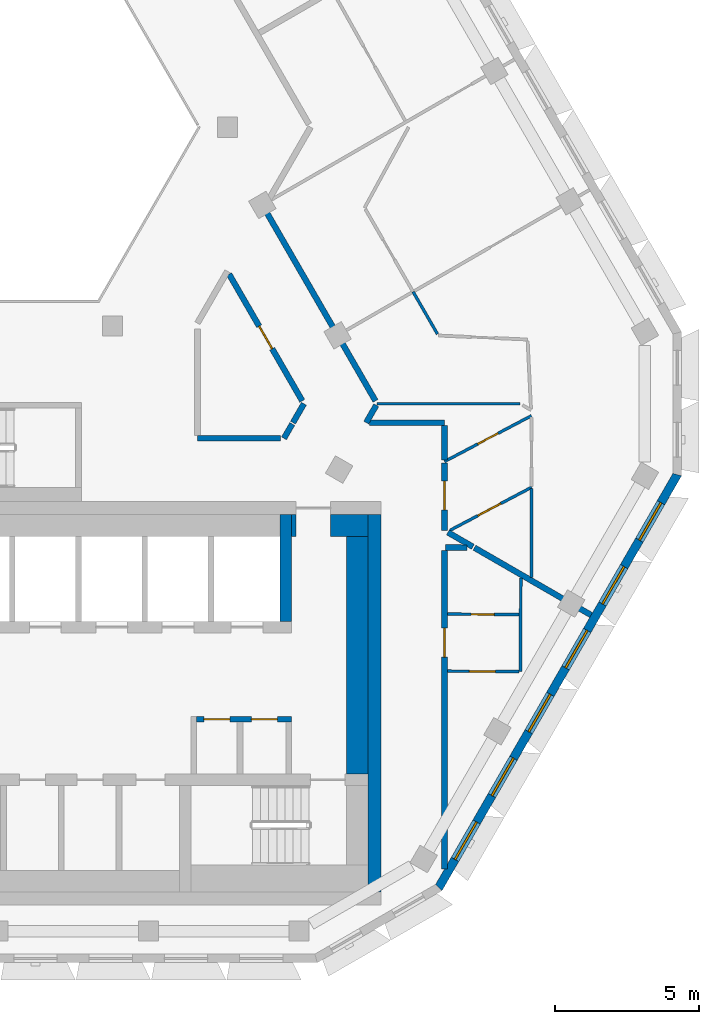
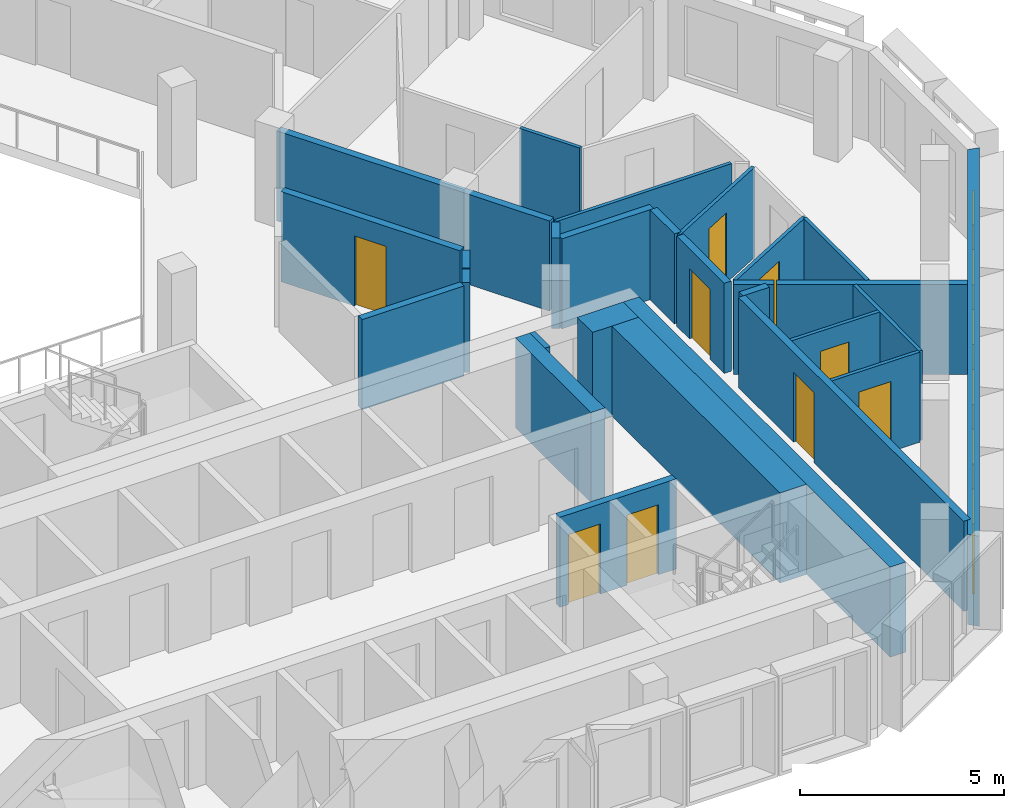
# One storey, part 6 of 16: 28 walls, 9 doors, 6 windows, 15 openings.
"""IFC4 building model written with IfcOpenShell, lengths in metres."""

import ifcopenshell
import ifcopenshell.guid

model = None  # the IFC model being written
_history = None  # IfcOwnerHistory: only IFC2X3 demands one
_inside = {}  # id of a spatial element -> (the spatial element, [elements in it])
_under = {}  # id of a project, library or spatial element -> (it, [spatial elements below it])
_declared = {}  # id of a project -> (the project, [libraries it declares])
_typed = {}  # id of a type object -> (the type object, [elements of that type])
_made_of = {}  # id of a material, layer set ... -> (it, [elements and type objects made of it])


def new_model(schema):
    """Start an empty IFC model of exactly this schema.

    Asked for "IFC4X3", IfcOpenShell would pick the latest addendum, in which some entities
    have other attributes; the version numbers below select the first issue.
    IFC2X3 requires an IfcOwnerHistory on every rooted entity: one is made here for all.
    """
    global model, _history
    if schema == "IFC4X3":
        model = ifcopenshell.file(schema_version=(4, 3, 0, 0))
    else:
        model = ifcopenshell.file(schema=schema)
    _inside.clear()
    _under.clear()
    _declared.clear()
    _typed.clear()
    _made_of.clear()
    _history = None
    if model.schema == "IFC2X3":
        org = make("IfcOrganization", Name="unknown")
        user = make(
            "IfcPersonAndOrganization",
            ThePerson=make("IfcPerson", FamilyName="unknown"),
            TheOrganization=org,
        )
        app = make(
            "IfcApplication",
            ApplicationDeveloper=org,
            Version="unknown",
            ApplicationFullName="unknown",
            ApplicationIdentifier="unknown",
        )
        _history = make(
            "IfcOwnerHistory",
            OwningUser=user,
            OwningApplication=app,
            ChangeAction="ADDED",
            CreationDate=0,
        )
    return model


def make(cls, **values):
    """One entity of the class cls with the attributes given. An attribute that is None is left unset."""
    return model.create_entity(
        cls, **{name: value for name, value in values.items() if value is not None}
    )


def rooted(cls, **values):
    """An entity with a GlobalId (a new one), such as an element, a storey or a relation."""
    return make(cls, GlobalId=ifcopenshell.guid.new(), OwnerHistory=_history, **values)


def si_unit(unit_type, name, prefix=None):
    """IfcSIUnit, for example si_unit("LENGTHUNIT", "METRE", prefix="MILLI")."""
    return make("IfcSIUnit", UnitType=unit_type, Prefix=prefix, Name=name)


def assignment(units):
    """IfcUnitAssignment: the units of a project."""
    return None if units is None else make("IfcUnitAssignment", Units=units)


def point(xyz):
    """IfcCartesianPoint."""
    return None if xyz is None else make("IfcCartesianPoint", Coordinates=xyz)


def direction(xyz):
    """IfcDirection."""
    return None if xyz is None else make("IfcDirection", DirectionRatios=xyz)


def frame(location, z_axis=None, x_axis=None):
    """IfcAxis2Placement3D, a coordinate frame: its origin and axes. An axis left out is left unset."""
    return make(
        "IfcAxis2Placement3D",
        Location=point(location),
        Axis=direction(z_axis),
        RefDirection=direction(x_axis),
    )


def frame_2d(location, x_axis=None):
    """IfcAxis2Placement2D, a coordinate frame in the plane: its origin and x axis."""
    return make(
        "IfcAxis2Placement2D", Location=point(location), RefDirection=direction(x_axis)
    )


def origin():
    """The frame at (0, 0, 0) with its axes left unset."""
    return frame((0.0, 0.0, 0.0))


def place(relative_to, where):
    """IfcLocalPlacement: puts the frame where relative to a parent placement (None: the world)."""
    return make(
        "IfcLocalPlacement", PlacementRelTo=relative_to, RelativePlacement=where
    )


def context(
    kind, dimensions, precision=None, world=None, true_north=None, identifier=None
):
    """IfcGeometricRepresentationContext, for example the 3D "Model" context."""
    return make(
        "IfcGeometricRepresentationContext",
        ContextIdentifier=identifier,
        ContextType=kind,
        CoordinateSpaceDimension=dimensions,
        Precision=precision,
        WorldCoordinateSystem=world,
        TrueNorth=true_north,
    )


def subcontext(parent, identifier, kind, view, scale=None):
    """IfcGeometricRepresentationSubContext, for example "Body" below "Model"."""
    return make(
        "IfcGeometricRepresentationSubContext",
        ContextIdentifier=identifier,
        ContextType=kind,
        ParentContext=parent,
        TargetScale=scale,
        TargetView=view,
    )


def project(units=None, contexts=None):
    """IfcProject with its units and contexts."""
    return rooted(
        "IfcProject",
        Name="project",
        RepresentationContexts=contexts,
        UnitsInContext=assignment(units),
    )


def spatial(cls, under=None, at=None, **own):
    """A site, building, storey or space (cls), placed at a placement, below another one or the project."""
    s = rooted(cls, ObjectPlacement=at, **own)
    if under is not None:
        _under.setdefault(under.id(), (under, []))[1].append(s)
    return s


def polyline(points):
    """IfcPolyline through the points."""
    return make("IfcPolyline", Points=[point(p) for p in points])


def profile(cls, at=None, kind="AREA", **sizes):
    """A parametric profile (cls). Its sizes go by their IFC names, for example OverallWidth=200.0."""
    return make(cls, ProfileType=kind, Position=at, **sizes)


def rectangle(**sizes):
    """IfcRectangleProfileDef."""
    return profile("IfcRectangleProfileDef", **sizes)


def outline(outer, holes=None, kind="AREA"):
    """IfcArbitraryClosedProfileDef: a profile drawn as a closed curve; with holes, ...WithVoids."""
    if holes is None:
        return make("IfcArbitraryClosedProfileDef", ProfileType=kind, OuterCurve=outer)
    return make(
        "IfcArbitraryProfileDefWithVoids",
        ProfileType=kind,
        OuterCurve=outer,
        InnerCurves=holes,
    )


def extrude(swept, where, along, depth):
    """IfcExtrudedAreaSolid: the profile swept, set in the frame where, extruded along a direction by depth."""
    return make(
        "IfcExtrudedAreaSolid",
        SweptArea=swept,
        Position=where,
        ExtrudedDirection=direction(along),
        Depth=depth,
    )


def shape(context_of_items, identifier, shape_type, items):
    """IfcShapeRepresentation: the items that make up one representation, for example the "Body"."""
    return make(
        "IfcShapeRepresentation",
        ContextOfItems=context_of_items,
        RepresentationIdentifier=identifier,
        RepresentationType=shape_type,
        Items=items,
    )


def material(Name=None, Category=None):
    """IfcMaterial."""
    return make("IfcMaterial", Name=Name, Category=Category)


def layer(
    of_material, thickness, ventilated=None, Name=None, Category=None, Priority=None
):
    """IfcMaterialLayer: one layer of a wall or slab, of a material (None: an air gap)."""
    return make(
        "IfcMaterialLayer",
        Material=of_material,
        LayerThickness=thickness,
        IsVentilated=ventilated,
        Name=Name,
        Category=Category,
        Priority=Priority,
    )


def layer_set(layers, Name=None):
    """IfcMaterialLayerSet."""
    return make("IfcMaterialLayerSet", MaterialLayers=layers, LayerSetName=Name)


def made_of(thing, what):
    """Note that an element or type object is made of a material, layer set ...; save() writes the relation."""
    if what is not None:
        _made_of.setdefault(what.id(), (what, []))[1].append(thing)
    return thing


def type_object(cls, material=None, **own):
    """A type object (cls), such as IfcWallType, which elements share."""
    return made_of(rooted(cls, **own), material)


def element(
    cls,
    number,
    at=None,
    inside=None,
    cuts=None,
    type_object=None,
    material=None,
    context=None,
    identifier="Body",
    shape_type=None,
    held_by="IfcProductDefinitionShape",
    body=None,
    shapes=None,
    **own,
):
    """One element of the class cls, such as IfcWall. Its Tag is "e" and its number.

    at: its placement. inside: the storey or other place that contains it. cuts: it is an
    opening in that element (IfcRelVoidsElement). A single representation is given by context,
    identifier, shape_type and body (its items); several are given by shapes. held_by: the class
    of the entity that holds the representations. save() writes the other relations.
    """
    e = rooted(cls, Tag="e%d" % number, ObjectPlacement=at, **own)
    if body is not None:
        shapes = [shape(context, identifier, shape_type, body)]
    if shapes is not None:
        e.Representation = make(held_by, Representations=shapes)
    if inside is not None:
        _inside.setdefault(inside.id(), (inside, []))[1].append(e)
    if cuts is not None:
        rooted(
            "IfcRelVoidsElement", RelatingBuildingElement=cuts, RelatedOpeningElement=e
        )
    if type_object is not None:
        _typed.setdefault(type_object.id(), (type_object, []))[1].append(e)
    return made_of(e, material)


def fill(opening, filler):
    """IfcRelFillsElement: the door or window that sits in an opening."""
    return rooted(
        "IfcRelFillsElement",
        RelatingOpeningElement=opening,
        RelatedBuildingElement=filler,
    )


def aggregate(whole, parts):
    """IfcRelAggregates: a whole, such as a stair, and the parts it consists of."""
    return rooted("IfcRelAggregates", RelatingObject=whole, RelatedObjects=parts)


def save(model, path):
    """Write the relations noted so far, then the file.

    IfcRelAggregates (storeys below a building ...), IfcRelContainedInSpatialStructure (elements
    in a storey), IfcRelDefinesByType, IfcRelAssociatesMaterial and IfcRelDeclares: one each for
    every whole, place, type object, material and project.
    """
    for whole, parts in _under.values():
        aggregate(whole, parts)
    for where, things in _inside.values():
        rooted(
            "IfcRelContainedInSpatialStructure",
            RelatedElements=things,
            RelatingStructure=where,
        )
    for kind, things in _typed.values():
        rooted("IfcRelDefinesByType", RelatedObjects=things, RelatingType=kind)
    for what, things in _made_of.values():
        rooted("IfcRelAssociatesMaterial", RelatedObjects=things, RelatingMaterial=what)
    for by, libraries in _declared.values():
        rooted("IfcRelDeclares", RelatingContext=by, RelatedDefinitions=libraries)
    model.write(path)


model = new_model("IFC4")

# Units and contexts
model_context = context("Model", 3, precision=1e-05, world=origin(), true_north=direction((0.0, 1.0)))
body_context = subcontext(model_context, "Body", "Model", "MODEL_VIEW")
ifc_project = project(units=[si_unit("LENGTHUNIT", "METRE"), si_unit("AREAUNIT", "SQUARE_METRE"), si_unit("VOLUMEUNIT", "CUBIC_METRE"), si_unit("PLANEANGLEUNIT", "RADIAN"), si_unit("MASSUNIT", "GRAM", prefix="KILO")], contexts=[model_context])

# Site, building, storey
site_placement = place(None, origin())
site = spatial("IfcSite", under=ifc_project, at=site_placement, CompositionType="ELEMENT")
building_placement = place(site_placement, origin())
building = spatial("IfcBuilding", under=site, at=building_placement, Name="Beryl Residences", CompositionType="ELEMENT")
storey_placement = place(building_placement, frame((0.0, 0.0, 232.800048828125)))
storey = spatial("IfcBuildingStorey", under=building, at=storey_placement, Name="L72", CompositionType="ELEMENT", Elevation=232.800048828125)

# Wall, openings, windows
ifc_material_1 = material(Name="Composite metal panel with mineral wool insulation")
ifc_layer_1 = layer(ifc_material_1, 0.300048828125)
ifc_layer_set_1 = layer_set([ifc_layer_1], Name="ES1 pale metal composite panel wall 300 mm")
wall_type_1 = type_object("IfcWallType", Name="ES1 pale metal composite panel wall 300 mm", PredefinedType="SOLIDWALL", material=ifc_layer_set_1)
wall_1_placement = place(storey_placement, frame((15.284912109375, -18.425048828125, 0.0), z_axis=(0.0, 0.0, 1.0), x_axis=(0.500012653391, 0.866018098222, 0.0)))
wall_1 = element("IfcWall", 1, at=wall_1_placement, inside=storey, type_object=wall_type_1, Name="ES1 external wall L72 SE", PredefinedType="SOLIDWALL", context=body_context, shape_type="SweptSolid", body=[
    extrude(outline(polyline([(0.0, -0.14990234375), (16.6279296875, -0.14990234375), (16.547607421875, 0.14990234375), (0.080322265625, 0.14990234375), (0.0, -0.14990234375)])), origin(), (0.0, 0.0, 1.0), 2.699951171875),
])
opening_1_placement = place(wall_1_placement, frame((1.1650390625, 0.0, 0.14990234375)))
opening_1 = element("IfcOpeningElement", 2, at=opening_1_placement, cuts=wall_1, Name="Opening W1", PredefinedType="OPENING", context=body_context, shape_type="SweptSolid", body=[
    extrude(rectangle(XDim=1.5, YDim=2.10009765625, at=frame_2d((0.75, 1.050048828125))), frame((0.0, 0.159912109375, 0.0), z_axis=(0.0, -1.0, 0.0), x_axis=(1.0, 0.0, 0.0)), (0.0, 0.0, 1.0), 0.320068359375),
])
opening_2_placement = place(wall_1_placement, frame((3.72412109375, 0.0, 0.14990234375)))
opening_2 = element("IfcOpeningElement", 3, at=opening_2_placement, cuts=wall_1, Name="Opening W1", PredefinedType="OPENING", context=body_context, shape_type="SweptSolid", body=[
    extrude(rectangle(XDim=1.5, YDim=2.10009765625, at=frame_2d((0.75, 1.050048828125))), frame((0.0, 0.159912109375, 0.0), z_axis=(0.0, -1.0, 0.0), x_axis=(1.0, 0.0, 0.0)), (0.0, 0.0, 1.0), 0.320068359375),
])
opening_3_placement = place(wall_1_placement, frame((6.282958984375, 0.0, 0.14990234375)))
opening_3 = element("IfcOpeningElement", 4, at=opening_3_placement, cuts=wall_1, Name="Opening W1", PredefinedType="OPENING", context=body_context, shape_type="SweptSolid", body=[
    extrude(rectangle(XDim=1.5, YDim=2.10009765625, at=frame_2d((0.75, 1.050048828125))), frame((0.0, 0.159912109375, 0.0), z_axis=(0.0, -1.0, 0.0), x_axis=(1.0, 0.0, 0.0)), (0.0, 0.0, 1.0), 0.320068359375),
])
opening_4_placement = place(wall_1_placement, frame((8.843017578125, 0.0, 0.14990234375)))
opening_4 = element("IfcOpeningElement", 5, at=opening_4_placement, cuts=wall_1, Name="Opening W1", PredefinedType="OPENING", context=body_context, shape_type="SweptSolid", body=[
    extrude(rectangle(XDim=1.5, YDim=2.10009765625, at=frame_2d((0.75, 1.050048828125))), frame((0.0, 0.159912109375, 0.0), z_axis=(0.0, -1.0, 0.0), x_axis=(1.0, 0.0, 0.0)), (0.0, 0.0, 1.0), 0.320068359375),
])
opening_5_placement = place(wall_1_placement, frame((11.402099609375, 0.0, 0.14990234375)))
opening_5 = element("IfcOpeningElement", 6, at=opening_5_placement, cuts=wall_1, Name="Opening W1", PredefinedType="OPENING", context=body_context, shape_type="SweptSolid", body=[
    extrude(rectangle(XDim=1.5, YDim=2.10009765625, at=frame_2d((0.75, 1.050048828125))), frame((0.0, 0.159912109375, 0.0), z_axis=(0.0, -1.0, 0.0), x_axis=(1.0, 0.0, 0.0)), (0.0, 0.0, 1.0), 0.320068359375),
])
opening_6_placement = place(wall_1_placement, frame((13.9619140625, 0.0, 0.14990234375)))
opening_6 = element("IfcOpeningElement", 7, at=opening_6_placement, cuts=wall_1, Name="Opening W1", PredefinedType="OPENING", context=body_context, shape_type="SweptSolid", body=[
    extrude(rectangle(XDim=1.5, YDim=2.10009765625, at=frame_2d((0.75, 1.050048828125))), frame((0.0, 0.159912109375, 0.0), z_axis=(0.0, -1.0, 0.0), x_axis=(1.0, 0.0, 0.0)), (0.0, 0.0, 1.0), 0.320068359375),
])
ifc_material_2 = material(Name="Aluminium and clear glass", Category="aluminium")
window_type = type_object("IfcWindowType", Name="W1 cell window 1500 x 2100 mm", PartitioningType="SINGLE_PANEL", PredefinedType="WINDOW", material=ifc_material_2)
window_1_placement = place(opening_1_placement, origin())
window_1 = element("IfcWindow", 8, at=window_1_placement, inside=storey, type_object=window_type, Name="W1 window L72 SE 1", OverallHeight=2.10009765625, OverallWidth=1.5, PartitioningType="SINGLE_PANEL", PredefinedType="WINDOW", context=body_context, shape_type="SweptSolid", body=[
    extrude(rectangle(XDim=1.5, YDim=2.10009765625, at=frame_2d((0.75, 1.050048828125))), frame((0.0, 0.030029296875, 0.0), z_axis=(0.0, -1.0, 0.0), x_axis=(1.0, 0.0, 0.0)), (0.0, 0.0, 1.0), 0.06005859375),
])
fill(opening_1, window_1)
window_2_placement = place(opening_2_placement, origin())
window_2 = element("IfcWindow", 9, at=window_2_placement, inside=storey, type_object=window_type, Name="W1 window L72 SE 2", OverallHeight=2.10009765625, OverallWidth=1.5, PartitioningType="SINGLE_PANEL", PredefinedType="WINDOW", context=body_context, shape_type="SweptSolid", body=[
    extrude(rectangle(XDim=1.5, YDim=2.10009765625, at=frame_2d((0.75, 1.050048828125))), frame((0.0, 0.030029296875, 0.0), z_axis=(0.0, -1.0, 0.0), x_axis=(1.0, 0.0, 0.0)), (0.0, 0.0, 1.0), 0.06005859375),
])
fill(opening_2, window_2)
window_3_placement = place(opening_3_placement, origin())
window_3 = element("IfcWindow", 10, at=window_3_placement, inside=storey, type_object=window_type, Name="W1 window L72 SE 3", OverallHeight=2.10009765625, OverallWidth=1.5, PartitioningType="SINGLE_PANEL", PredefinedType="WINDOW", context=body_context, shape_type="SweptSolid", body=[
    extrude(rectangle(XDim=1.5, YDim=2.10009765625, at=frame_2d((0.75, 1.050048828125))), frame((0.0, 0.030029296875, 0.0), z_axis=(0.0, -1.0, 0.0), x_axis=(1.0, 0.0, 0.0)), (0.0, 0.0, 1.0), 0.06005859375),
])
fill(opening_3, window_3)
window_4_placement = place(opening_4_placement, origin())
window_4 = element("IfcWindow", 11, at=window_4_placement, inside=storey, type_object=window_type, Name="W1 window L72 SE 4", OverallHeight=2.10009765625, OverallWidth=1.5, PartitioningType="SINGLE_PANEL", PredefinedType="WINDOW", context=body_context, shape_type="SweptSolid", body=[
    extrude(rectangle(XDim=1.5, YDim=2.10009765625, at=frame_2d((0.75, 1.050048828125))), frame((0.0, 0.030029296875, 0.0), z_axis=(0.0, -1.0, 0.0), x_axis=(1.0, 0.0, 0.0)), (0.0, 0.0, 1.0), 0.06005859375),
])
fill(opening_4, window_4)
window_5_placement = place(opening_5_placement, origin())
window_5 = element("IfcWindow", 12, at=window_5_placement, inside=storey, type_object=window_type, Name="W1 window L72 SE 5", OverallHeight=2.10009765625, OverallWidth=1.5, PartitioningType="SINGLE_PANEL", PredefinedType="WINDOW", context=body_context, shape_type="SweptSolid", body=[
    extrude(rectangle(XDim=1.5, YDim=2.10009765625, at=frame_2d((0.75, 1.050048828125))), frame((0.0, 0.030029296875, 0.0), z_axis=(0.0, -1.0, 0.0), x_axis=(1.0, 0.0, 0.0)), (0.0, 0.0, 1.0), 0.06005859375),
])
fill(opening_5, window_5)
window_6_placement = place(opening_6_placement, origin())
window_6 = element("IfcWindow", 13, at=window_6_placement, inside=storey, type_object=window_type, Name="W1 window L72 SE 6", OverallHeight=2.10009765625, OverallWidth=1.5, PartitioningType="SINGLE_PANEL", PredefinedType="WINDOW", context=body_context, shape_type="SweptSolid", body=[
    extrude(rectangle(XDim=1.5, YDim=2.10009765625, at=frame_2d((0.75, 1.050048828125))), frame((0.0, 0.030029296875, 0.0), z_axis=(0.0, -1.0, 0.0), x_axis=(1.0, 0.0, 0.0)), (0.0, 0.0, 1.0), 0.06005859375),
])
fill(opening_6, window_6)

# Wall, opening, door
ifc_material_3 = material(Name="Gypsum board partition on steel studs", Category="steel")
ifc_layer_2 = layer(ifc_material_3, 0.10009765625)
ifc_layer_set_2 = layer_set([ifc_layer_2], Name="PT1 partition 100 mm gypsum board on steel studs")
wall_type_2 = type_object("IfcWallType", Name="PT1 partition 100 mm gypsum board on steel studs", PredefinedType="PARTITIONING", material=ifc_layer_set_2)
wall_2_placement = place(storey_placement, frame((15.60009765625, -8.90087890625, 0.0), z_axis=(0.0, 0.0, 1.0), x_axis=(0.999986038514, -0.005284200615, 0.0)))
wall_2 = element("IfcWall", 14, at=wall_2_placement, inside=storey, type_object=wall_type_2, Name="Wall PT1 L72 001", PredefinedType="PARTITIONING", context=body_context, shape_type="SweptSolid", body=[
    extrude(rectangle(XDim=2.494873046875, YDim=0.10009765625, at=frame_2d((1.24755859375, 0.0))), origin(), (0.0, 0.0, 1.0), 2.699951171875),
])
opening_7_placement = place(wall_2_placement, frame((0.822998046875, 0.0, 0.0)))
opening_7 = element("IfcOpeningElement", 15, at=opening_7_placement, cuts=wall_2, Name="Opening D1903", PredefinedType="OPENING", context=body_context, shape_type="SweptSolid", body=[
    extrude(rectangle(XDim=0.800048828125, YDim=2.10009765625, at=frame_2d((0.39990234375, 1.050048828125))), frame((0.0, 0.06005859375, 0.0), z_axis=(0.0, -1.0, 0.0), x_axis=(1.0, 0.0, 0.0)), (0.0, 0.0, 1.0), 0.1201171875),
])
ifc_material_4 = material(Name="Timber door leaf", Category="wood")
door_type_1 = type_object("IfcDoorType", Name="D3 bathroom door 800 x 2100 mm", OperationType="SINGLE_SWING_LEFT", PredefinedType="DOOR", material=ifc_material_4)
door_1_placement = place(opening_7_placement, origin())
door_1 = element("IfcDoor", 16, at=door_1_placement, inside=storey, type_object=door_type_1, Name="Door D1903 L72 001", OperationType="SINGLE_SWING_LEFT", OverallHeight=2.10009765625, OverallWidth=0.800048828125, PredefinedType="DOOR", context=body_context, shape_type="SweptSolid", body=[
    extrude(rectangle(XDim=0.800048828125, YDim=2.10009765625, at=frame_2d((0.39990234375, 1.050048828125))), frame((0.0, 0.02490234375, 0.0), z_axis=(0.0, -1.0, 0.0), x_axis=(1.0, 0.0, 0.0)), (0.0, 0.0, 1.0), 0.050048828125),
])
fill(opening_7, door_1)

wall_3_placement = place(storey_placement, frame((15.60009765625, -10.881103515625, 0.0), z_axis=(0.0, 0.0, 1.0), x_axis=(0.999986431575, -0.005209286502, 0.0)))
wall_3 = element("IfcWall", 17, at=wall_3_placement, inside=storey, type_object=wall_type_2, Name="Wall PT1 L72 002", PredefinedType="PARTITIONING", context=body_context, shape_type="SweptSolid", body=[
    extrude(rectangle(XDim=2.48388671875, YDim=0.10009765625, at=frame_2d((1.241943359375, 0.0))), origin(), (0.0, 0.0, 1.0), 2.699951171875),
])
opening_8_placement = place(wall_3_placement, frame((0.76806640625, 0.0, 0.0)))
opening_8 = element("IfcOpeningElement", 18, at=opening_8_placement, cuts=wall_3, Name="Opening D1902", PredefinedType="OPENING", context=body_context, shape_type="SweptSolid", body=[
    extrude(rectangle(XDim=0.89990234375, YDim=2.10009765625, at=frame_2d((0.449951171875, 1.050048828125))), frame((0.0, 0.06005859375, 0.0), z_axis=(0.0, -1.0, 0.0), x_axis=(1.0, 0.0, 0.0)), (0.0, 0.0, 1.0), 0.1201171875),
])
ifc_material_5 = material(Name="Timber door leaf", Category="wood")
door_type_2 = type_object("IfcDoorType", Name="D2 room door 900 x 2100 mm", OperationType="SINGLE_SWING_LEFT", PredefinedType="DOOR", material=ifc_material_5)
door_2_placement = place(opening_8_placement, origin())
door_2 = element("IfcDoor", 19, at=door_2_placement, inside=storey, type_object=door_type_2, Name="Door D1902 L72 001", OperationType="SINGLE_SWING_RIGHT", OverallHeight=2.10009765625, OverallWidth=0.89990234375, PredefinedType="DOOR", context=body_context, shape_type="SweptSolid", body=[
    extrude(rectangle(XDim=0.89990234375, YDim=2.10009765625, at=frame_2d((0.449951171875, 1.050048828125))), frame((0.0, 0.02490234375, 0.0), z_axis=(0.0, -1.0, 0.0), x_axis=(1.0, 0.0, 0.0)), (0.0, 0.0, 1.0), 0.050048828125),
])
fill(opening_8, door_2)

# Walls
wall_4_placement = place(storey_placement, frame((13.1630859375, -1.59912109375, 0.0), z_axis=(0.0, 0.0, 1.0), x_axis=(1.0, 0.0, 0.0)))
element("IfcWall", 20, at=wall_4_placement, inside=storey, type_object=wall_type_2, Name="Wall PT1 L72 020", PredefinedType="PARTITIONING", context=body_context, shape_type="SweptSolid", body=[
    extrude(rectangle(XDim=4.9619140625, YDim=0.10009765625, at=frame_2d((2.48095703125, 0.0))), origin(), (0.0, 0.0, 1.0), 2.699951171875),
])
wall_5_placement = place(storey_placement, frame((18.135009765625, -10.89306640625, 0.0), z_axis=(0.0, 0.0, 1.0), x_axis=(0.005255182688, 0.999986191432, 0.0)))
element("IfcWall", 21, at=wall_5_placement, inside=storey, type_object=wall_type_2, Name="Wall PT1 L72 032", PredefinedType="PARTITIONING", context=body_context, shape_type="SweptSolid", body=[
    extrude(rectangle(XDim=3.251953125, YDim=0.10009765625, at=frame_2d((1.6259765625, 0.0))), origin(), (0.0, 0.0, 1.0), 2.699951171875),
])
wall_6_placement = place(storey_placement, frame((18.52392578125, -7.625, 0.0), z_axis=(0.0, 0.0, 1.0), x_axis=(0.0, 1.0, 0.0)))
element("IfcWall", 22, at=wall_6_placement, inside=storey, type_object=wall_type_2, Name="Wall PT1 L72 034", PredefinedType="PARTITIONING", context=body_context, shape_type="SweptSolid", body=[
    extrude(rectangle(XDim=3.089111328125, YDim=0.10009765625, at=frame_2d((1.54443359375, 0.0))), origin(), (0.0, 0.0, 1.0), 2.699951171875),
])

# Wall, opening, door
wall_7_placement = place(storey_placement, frame((15.5, -3.60693359375, 0.0), z_axis=(0.0, 0.0, 1.0), x_axis=(0.884626030835, 0.466301174745, 0.0)))
wall_7 = element("IfcWall", 23, at=wall_7_placement, inside=storey, type_object=wall_type_2, Name="Wall PT1 L72 036", PredefinedType="PARTITIONING", context=body_context, shape_type="SweptSolid", body=[
    extrude(rectangle(XDim=3.409423828125, YDim=0.10009765625, at=frame_2d((1.70458984375, 0.0))), origin(), (0.0, 0.0, 1.0), 2.699951171875),
])
opening_9_placement = place(wall_7_placement, frame((1.304931640625, 0.0, 0.0)))
opening_9 = element("IfcOpeningElement", 24, at=opening_9_placement, cuts=wall_7, Name="Opening D1905", PredefinedType="OPENING", context=body_context, shape_type="SweptSolid", body=[
    extrude(rectangle(XDim=0.800048828125, YDim=2.10009765625, at=frame_2d((0.39990234375, 1.050048828125))), frame((0.0, 0.06005859375, 0.0), z_axis=(0.0, -1.0, 0.0), x_axis=(1.0, 0.0, 0.0)), (0.0, 0.0, 1.0), 0.1201171875),
])
door_3_placement = place(opening_9_placement, origin())
door_3 = element("IfcDoor", 25, at=door_3_placement, inside=storey, type_object=door_type_1, Name="Door D1905 L72 001", OperationType="SINGLE_SWING_LEFT", OverallHeight=2.10009765625, OverallWidth=0.800048828125, PredefinedType="DOOR", context=body_context, shape_type="SweptSolid", body=[
    extrude(rectangle(XDim=0.800048828125, YDim=2.10009765625, at=frame_2d((0.39990234375, 1.050048828125))), frame((0.0, 0.02490234375, 0.0), z_axis=(0.0, -1.0, 0.0), x_axis=(1.0, 0.0, 0.0)), (0.0, 0.0, 1.0), 0.050048828125),
])
fill(opening_9, door_3)

wall_8_placement = place(storey_placement, frame((15.695068359375, -5.991943359375, 0.0), z_axis=(0.0, 0.0, 1.0), x_axis=(0.884522140369, 0.466498213498, 0.0)))
wall_8 = element("IfcWall", 26, at=wall_8_placement, inside=storey, type_object=wall_type_2, Name="Wall PT1 L72 037", PredefinedType="PARTITIONING", context=body_context, shape_type="SweptSolid", body=[
    extrude(rectangle(XDim=3.1982421875, YDim=0.10009765625, at=frame_2d((1.59912109375, 0.0))), origin(), (0.0, 0.0, 1.0), 2.699951171875),
])
opening_10_placement = place(wall_8_placement, frame((1.090087890625, 0.0, 0.0)))
opening_10 = element("IfcOpeningElement", 27, at=opening_10_placement, cuts=wall_8, Name="Opening D1906", PredefinedType="OPENING", context=body_context, shape_type="SweptSolid", body=[
    extrude(rectangle(XDim=0.89990234375, YDim=2.10009765625, at=frame_2d((0.449951171875, 1.050048828125))), frame((0.0, 0.06005859375, 0.0), z_axis=(0.0, -1.0, 0.0), x_axis=(1.0, 0.0, 0.0)), (0.0, 0.0, 1.0), 0.1201171875),
])
door_4_placement = place(opening_10_placement, origin())
door_4 = element("IfcDoor", 28, at=door_4_placement, inside=storey, type_object=door_type_2, Name="Door D1906 L72 001", OperationType="SINGLE_SWING_RIGHT", OverallHeight=2.10009765625, OverallWidth=0.89990234375, PredefinedType="DOOR", context=body_context, shape_type="SweptSolid", body=[
    extrude(rectangle(XDim=0.89990234375, YDim=2.10009765625, at=frame_2d((0.449951171875, 1.050048828125))), frame((0.0, 0.02490234375, 0.0), z_axis=(0.0, -1.0, 0.0), x_axis=(1.0, 0.0, 0.0)), (0.0, 0.0, 1.0), 0.050048828125),
])
fill(opening_10, door_4)

# Wall
wall_9_placement = place(storey_placement, frame((14.410888671875, 2.2880859375, 0.0), z_axis=(0.0, 0.0, 1.0), x_axis=(0.500009005995, -0.866020204108, 0.0)))
element("IfcWall", 29, at=wall_9_placement, inside=storey, type_object=wall_type_2, Name="Wall PT1 L72 044", PredefinedType="PARTITIONING", context=body_context, shape_type="SweptSolid", body=[
    extrude(rectangle(XDim=1.6962890625, YDim=0.10009765625, at=frame_2d((0.84814453125, 0.0))), origin(), (0.0, 0.0, 1.0), 2.699951171875),
])

# Wall, openings, doors
ifc_material_6 = material(Name="Concrete masonry", Category="masonry")
ifc_layer_3 = layer(ifc_material_6, 0.199951171875)
ifc_layer_set_3 = layer_set([ifc_layer_3], Name="PT13 lobby wall 200 mm")
wall_type_3 = type_object("IfcWallType", Name="PT13 lobby wall 200 mm", PredefinedType="PARTITIONING", material=ifc_layer_set_3)
wall_10_placement = place(storey_placement, frame((6.89990234375, -12.550048828125, 0.0), z_axis=(0.0, 0.0, 1.0), x_axis=(1.0, 0.0, 0.0)))
wall_10 = element("IfcWall", 30, at=wall_10_placement, inside=storey, type_object=wall_type_3, Name="Lobby wall 28", PredefinedType="PARTITIONING", context=body_context, shape_type="SweptSolid", body=[
    extrude(rectangle(XDim=3.300048828125, YDim=0.199951171875, at=frame_2d((1.64990234375, 0.0))), origin(), (0.0, 0.0, 1.0), 2.699951171875),
])
opening_11_placement = place(wall_10_placement, frame((1.14990234375, 0.0, 0.0), z_axis=(0.0, 0.0, 1.0), x_axis=(-1.0, 0.0, 0.0)))
opening_11 = element("IfcOpeningElement", 31, at=opening_11_placement, cuts=wall_10, Name="Opening CD-D-A1-900", PredefinedType="OPENING", context=body_context, shape_type="SweptSolid", body=[
    extrude(rectangle(XDim=0.89990234375, YDim=2.10009765625, at=frame_2d((0.449951171875, 1.050048828125))), frame((0.0, 0.10986328125, 0.0), z_axis=(0.0, -1.0, 0.0), x_axis=(1.0, 0.0, 0.0)), (0.0, 0.0, 1.0), 0.219970703125),
])
opening_12_placement = place(wall_10_placement, frame((2.7998046875, 0.0, 0.0), z_axis=(0.0, 0.0, 1.0), x_axis=(-1.0, 0.0, 0.0)))
opening_12 = element("IfcOpeningElement", 32, at=opening_12_placement, cuts=wall_10, Name="Opening CD-D-A2-900", PredefinedType="OPENING", context=body_context, shape_type="SweptSolid", body=[
    extrude(rectangle(XDim=0.89990234375, YDim=2.10009765625, at=frame_2d((0.449951171875, 1.050048828125))), frame((0.0, 0.10986328125, 0.0), z_axis=(0.0, -1.0, 0.0), x_axis=(1.0, 0.0, 0.0)), (0.0, 0.0, 1.0), 0.219970703125),
])
ifc_material_7 = material(Name="Steel door leaf in steel frame", Category="steel")
door_type_3 = type_object("IfcDoorType", Name="D6 service room door 900 x 2100 mm", OperationType="SINGLE_SWING_LEFT", PredefinedType="DOOR", material=ifc_material_7)
door_5_placement = place(opening_11_placement, origin())
door_5 = element("IfcDoor", 33, at=door_5_placement, inside=storey, type_object=door_type_3, Name="Door CD-D-A1-900 L72 001", OperationType="SINGLE_SWING_RIGHT", OverallHeight=2.10009765625, OverallWidth=0.89990234375, PredefinedType="DOOR", context=body_context, shape_type="SweptSolid", body=[
    extrude(rectangle(XDim=0.89990234375, YDim=2.10009765625, at=frame_2d((0.449951171875, 1.050048828125))), frame((0.0, 0.02490234375, 0.0), z_axis=(0.0, -1.0, 0.0), x_axis=(1.0, 0.0, 0.0)), (0.0, 0.0, 1.0), 0.050048828125),
])
fill(opening_11, door_5)
door_6_placement = place(opening_12_placement, origin())
door_6 = element("IfcDoor", 34, at=door_6_placement, inside=storey, type_object=door_type_3, Name="Door CD-D-A2-900 L72 001", OperationType="SINGLE_SWING_LEFT", OverallHeight=2.10009765625, OverallWidth=0.89990234375, PredefinedType="DOOR", context=body_context, shape_type="SweptSolid", body=[
    extrude(rectangle(XDim=0.89990234375, YDim=2.10009765625, at=frame_2d((0.449951171875, 1.050048828125))), frame((0.0, 0.02490234375, 0.0), z_axis=(0.0, -1.0, 0.0), x_axis=(1.0, 0.0, 0.0)), (0.0, 0.0, 1.0), 0.050048828125),
])
fill(opening_12, door_6)

# Walls
ifc_material_8 = material(Name="Concrete masonry", Category="masonry")
ifc_layer_4 = layer(ifc_material_8, 0.14990234375)
ifc_layer_set_4 = layer_set([ifc_layer_4], Name="PT13-150 lobby wall 150 mm")
wall_type_4 = type_object("IfcWallType", Name="PT13-150 lobby wall 150 mm", PredefinedType="PARTITIONING", material=ifc_layer_set_4)
wall_11_placement = place(storey_placement, frame((10.27490234375, -6.199951171875, 0.0), z_axis=(0.0, 0.0, 1.0), x_axis=(0.0, 1.0, 0.0)))
element("IfcWall", 35, at=wall_11_placement, inside=storey, type_object=wall_type_4, Name="Lobby wall 32", PredefinedType="PARTITIONING", context=body_context, shape_type="SweptSolid", body=[
    extrude(rectangle(XDim=0.75, YDim=0.14990234375, at=frame_2d((0.375, 0.0))), origin(), (0.0, 0.0, 1.0), 2.699951171875),
])
ifc_material_9 = material(Name="Concrete masonry", Category="masonry")
ifc_layer_5 = layer(ifc_material_9, 0.75)
ifc_layer_set_5 = layer_set([ifc_layer_5], Name="PT13-750 lobby wall 750 mm")
wall_type_5 = type_object("IfcWallType", Name="PT13-750 lobby wall 750 mm", PredefinedType="PARTITIONING", material=ifc_layer_set_5)
wall_12_placement = place(storey_placement, frame((11.550048828125, -5.824951171875, 0.0), z_axis=(0.0, 0.0, 1.0), x_axis=(1.0, 0.0, 0.0)))
element("IfcWall", 36, at=wall_12_placement, inside=storey, type_object=wall_type_5, Name="Lobby wall 33", PredefinedType="PARTITIONING", context=body_context, shape_type="SweptSolid", body=[
    extrude(rectangle(XDim=1.300048828125, YDim=0.75, at=frame_2d((0.64990234375, 0.0))), origin(), (0.0, 0.0, 1.0), 2.699951171875),
])
wall_13_placement = place(storey_placement, frame((12.47509765625, -14.449951171875, 0.0), z_axis=(0.0, 0.0, 1.0), x_axis=(0.0, 1.0, 0.0)))
element("IfcWall", 37, at=wall_13_placement, inside=storey, type_object=wall_type_5, Name="Lobby wall 35", PredefinedType="PARTITIONING", context=body_context, shape_type="SweptSolid", body=[
    extrude(rectangle(XDim=8.25, YDim=0.75, at=frame_2d((4.125, 0.0))), origin(), (0.0, 0.0, 1.0), 2.699951171875),
])
ifc_material_10 = material(Name="Acoustic double stud gypsum board wall")
ifc_layer_6 = layer(ifc_material_10, 0.199951171875)
ifc_layer_set_6 = layer_set([ifc_layer_6], Name="PT3 party wall 200 mm acoustic double stud")
wall_type_6 = type_object("IfcWallType", Name="PT3 party wall 200 mm acoustic double stud", PredefinedType="PARTITIONING", material=ifc_layer_set_6)
wall_14_placement = place(storey_placement, frame((15.530029296875, -6.591064453125, 0.0), z_axis=(0.0, 0.0, 1.0), x_axis=(0.999992350786, -0.003911312976, 0.0)))
element("IfcWall", 38, at=wall_14_placement, inside=storey, type_object=wall_type_6, Name="Wall PT3 L72 001", PredefinedType="PARTITIONING", context=body_context, shape_type="SweptSolid", body=[
    extrude(rectangle(XDim=0.7490234375, YDim=0.199951171875, at=frame_2d((0.37451171875, 0.0))), origin(), (0.0, 0.0, 1.0), 2.699951171875),
])
wall_15_placement = place(storey_placement, frame((15.62109375, -6.06494140625, 0.0), z_axis=(0.0, 0.0, 1.0), x_axis=(0.866254619292, -0.49960277677, 0.0)))
element("IfcWall", 39, at=wall_15_placement, inside=storey, type_object=wall_type_6, Name="Wall PT3 L72 005", PredefinedType="PARTITIONING", context=body_context, shape_type="SweptSolid", body=[
    extrude(rectangle(XDim=1.000732421875, YDim=0.199951171875, at=frame_2d((0.50048828125, 0.0))), origin(), (0.0, 0.0, 1.0), 2.699951171875),
])
wall_16_placement = place(storey_placement, frame((16.541015625, -6.595947265625, 0.0), z_axis=(0.0, 0.0, 1.0), x_axis=(0.866040404911, -0.499974016386, 0.0)))
element("IfcWall", 40, at=wall_16_placement, inside=storey, type_object=wall_type_6, Name="Wall PT3 L72 006", PredefinedType="PARTITIONING", context=body_context, shape_type="SweptSolid", body=[
    extrude(rectangle(XDim=4.676513671875, YDim=0.199951171875, at=frame_2d((2.33837890625, 0.0))), origin(), (0.0, 0.0, 1.0), 2.699951171875),
])

# Wall, opening, door
ifc_material_11 = material(Name="Double stud gypsum board wall")
ifc_layer_7 = layer(ifc_material_11, 0.199951171875)
ifc_layer_set_7 = layer_set([ifc_layer_7], Name="PT4 corridor wall 200 mm double stud")
wall_type_7 = type_object("IfcWallType", Name="PT4 corridor wall 200 mm double stud", PredefinedType="PARTITIONING", material=ifc_layer_set_7)
wall_17_placement = place(storey_placement, frame((8.02587890625, 2.89892578125, 0.0), z_axis=(0.0, 0.0, 1.0), x_axis=(0.499986018985, -0.866033475577, 0.0)))
wall_17 = element("IfcWall", 41, at=wall_17_placement, inside=storey, type_object=wall_type_7, Name="Wall PT4 L72 005", PredefinedType="PARTITIONING", context=body_context, shape_type="SweptSolid", body=[
    extrude(rectangle(XDim=5.078369140625, YDim=0.199951171875, at=frame_2d((2.5390625, 0.0))), origin(), (0.0, 0.0, 1.0), 2.699951171875),
])
opening_13_placement = place(wall_17_placement, frame((2.089111328125, 0.0, 0.0)))
opening_13 = element("IfcOpeningElement", 42, at=opening_13_placement, cuts=wall_17, Name="Opening D1938", PredefinedType="OPENING", context=body_context, shape_type="SweptSolid", body=[
    extrude(rectangle(XDim=0.89990234375, YDim=2.10009765625, at=frame_2d((0.449951171875, 1.050048828125))), frame((0.0, 0.10986328125, 0.0), z_axis=(0.0, -1.0, 0.0), x_axis=(1.0, 0.0, 0.0)), (0.0, 0.0, 1.0), 0.219970703125),
])
door_7_placement = place(opening_13_placement, origin())
door_7 = element("IfcDoor", 43, at=door_7_placement, inside=storey, type_object=door_type_2, Name="Door D1938 L72 001", OperationType="SINGLE_SWING_RIGHT", OverallHeight=2.10009765625, OverallWidth=0.89990234375, PredefinedType="DOOR", context=body_context, shape_type="SweptSolid", body=[
    extrude(rectangle(XDim=0.89990234375, YDim=2.10009765625, at=frame_2d((0.449951171875, 1.050048828125))), frame((0.0, 0.02490234375, 0.0), z_axis=(0.0, -1.0, 0.0), x_axis=(1.0, 0.0, 0.0)), (0.0, 0.0, 1.0), 0.050048828125),
])
fill(opening_13, door_7)

# Walls
wall_18_placement = place(storey_placement, frame((9.238037109375, 5.199951171875, 0.0), z_axis=(0.0, 0.0, 1.0), x_axis=(0.500025705601, -0.86601056214, 0.0)))
element("IfcWall", 44, at=wall_18_placement, inside=storey, type_object=wall_type_7, Name="Wall PT4 L72 006", PredefinedType="PARTITIONING", context=body_context, shape_type="SweptSolid", body=[
    extrude(rectangle(XDim=7.7353515625, YDim=0.199951171875, at=frame_2d((3.86767578125, 0.0))), origin(), (0.0, 0.0, 1.0), 2.699951171875),
])
wall_19_placement = place(storey_placement, frame((15.5, -2.35595703125, 0.0), z_axis=(0.0, 0.0, 1.0), x_axis=(0.0, -1.0, 0.0)))
element("IfcWall", 45, at=wall_19_placement, inside=storey, type_object=wall_type_7, Name="Wall PT4 L72 010", PredefinedType="PARTITIONING", context=body_context, shape_type="SweptSolid", body=[
    extrude(rectangle(XDim=1.195068359375, YDim=0.199951171875, at=frame_2d((0.59765625, 0.0))), origin(), (0.0, 0.0, 1.0), 2.699951171875),
])
wall_20_placement = place(storey_placement, frame((12.902099609375, -2.256103515625, 0.0), z_axis=(0.0, 0.0, 1.0), x_axis=(1.0, 0.0, 0.0)))
element("IfcWall", 46, at=wall_20_placement, inside=storey, type_object=wall_type_7, Name="Wall PT4 L72 013", PredefinedType="PARTITIONING", context=body_context, shape_type="SweptSolid", body=[
    extrude(rectangle(XDim=2.597900390625, YDim=0.199951171875, at=frame_2d((1.298828125, 0.0))), origin(), (0.0, 0.0, 1.0), 2.699951171875),
])
wall_21_placement = place(storey_placement, frame((6.928955078125, -2.800048828125, 0.0), z_axis=(0.0, 0.0, 1.0), x_axis=(1.0, 0.0, 0.0)))
element("IfcWall", 47, at=wall_21_placement, inside=storey, type_object=wall_type_7, Name="Wall PT4 L72 016", PredefinedType="PARTITIONING", context=body_context, shape_type="SweptSolid", body=[
    extrude(rectangle(XDim=2.885009765625, YDim=0.199951171875, at=frame_2d((1.4423828125, 0.0))), origin(), (0.0, 0.0, 1.0), 2.699951171875),
])
wall_22_placement = place(storey_placement, frame((9.929931640625, -2.800048828125, 0.0), z_axis=(0.0, 0.0, 1.0), x_axis=(0.500164219654, 0.865930570761, 0.0)))
element("IfcWall", 48, at=wall_22_placement, inside=storey, type_object=wall_type_7, Name="Wall PT4 L72 020", PredefinedType="PARTITIONING", context=body_context, shape_type="SweptSolid", body=[
    extrude(rectangle(XDim=0.573974609375, YDim=0.199951171875, at=frame_2d((0.287109375, 0.0))), origin(), (0.0, 0.0, 1.0), 2.699951171875),
])
wall_23_placement = place(storey_placement, frame((10.243896484375, -2.2548828125, 0.0), z_axis=(0.0, 0.0, 1.0), x_axis=(0.50109986513, 0.865389464442, 0.0)))
element("IfcWall", 49, at=wall_23_placement, inside=storey, type_object=wall_type_7, Name="Wall PT4 L72 021", PredefinedType="PARTITIONING", context=body_context, shape_type="SweptSolid", body=[
    extrude(rectangle(XDim=0.756591796875, YDim=0.199951171875, at=frame_2d((0.37841796875, 0.0))), origin(), (0.0, 0.0, 1.0), 2.699951171875),
])
wall_24_placement = place(storey_placement, frame((12.784912109375, -2.25390625, 0.0), z_axis=(0.0, 0.0, 1.0), x_axis=(0.500871040665, 0.865521923826, 0.0)))
element("IfcWall", 50, at=wall_24_placement, inside=storey, type_object=wall_type_7, Name="Wall PT4 L72 022", PredefinedType="PARTITIONING", context=body_context, shape_type="SweptSolid", body=[
    extrude(rectangle(XDim=0.698974609375, YDim=0.199951171875, at=frame_2d((0.349609375, 0.0))), origin(), (0.0, 0.0, 1.0), 2.699951171875),
])

# Wall, opening, door
wall_25_placement = place(storey_placement, frame((15.5, -17.751953125, 0.0), z_axis=(0.0, 0.0, 1.0), x_axis=(0.0, 1.0, 0.0)))
wall_25 = element("IfcWall", 51, at=wall_25_placement, inside=storey, type_object=wall_type_7, Name="Wall PT4 L72 026", PredefinedType="PARTITIONING", context=body_context, shape_type="SweptSolid", body=[
    extrude(rectangle(XDim=11.06201171875, YDim=0.199951171875, at=frame_2d((5.531005859375, 0.0))), origin(), (0.0, 0.0, 1.0), 2.699951171875),
])
opening_14_placement = place(wall_25_placement, frame((7.361083984375, 0.0, 0.0)))
opening_14 = element("IfcOpeningElement", 52, at=opening_14_placement, cuts=wall_25, Name="Opening D1901", PredefinedType="OPENING", context=body_context, shape_type="SweptSolid", body=[
    extrude(rectangle(XDim=1.0, YDim=2.10009765625, at=frame_2d((0.5, 1.050048828125))), frame((0.0, 0.10986328125, 0.0), z_axis=(0.0, -1.0, 0.0), x_axis=(1.0, 0.0, 0.0)), (0.0, 0.0, 1.0), 0.219970703125),
])
ifc_material_12 = material(Name="Timber door leaf", Category="wood")
door_type_4 = type_object("IfcDoorType", Name="D1 flat entrance door 1000 x 2100 mm", OperationType="SINGLE_SWING_LEFT", PredefinedType="DOOR", material=ifc_material_12)
door_8_placement = place(opening_14_placement, origin())
door_8 = element("IfcDoor", 53, at=door_8_placement, inside=storey, type_object=door_type_4, Name="Door D1901 L72 001", OperationType="SINGLE_SWING_LEFT", OverallHeight=2.10009765625, OverallWidth=1.0, PredefinedType="DOOR", context=body_context, shape_type="SweptSolid", body=[
    extrude(rectangle(XDim=1.0, YDim=2.10009765625, at=frame_2d((0.5, 1.050048828125))), frame((0.0, 0.02490234375, 0.0), z_axis=(0.0, -1.0, 0.0), x_axis=(1.0, 0.0, 0.0)), (0.0, 0.0, 1.0), 0.050048828125),
])
fill(opening_14, door_8)

wall_26_placement = place(storey_placement, frame((15.5, -5.9951171875, 0.0), z_axis=(0.0, 0.0, 1.0), x_axis=(0.0, 1.0, 0.0)))
wall_26 = element("IfcWall", 54, at=wall_26_placement, inside=storey, type_object=wall_type_7, Name="Wall PT4 L72 027", PredefinedType="PARTITIONING", context=body_context, shape_type="SweptSolid", body=[
    extrude(rectangle(XDim=2.3310546875, YDim=0.199951171875, at=frame_2d((1.16552734375, 0.0))), origin(), (0.0, 0.0, 1.0), 2.699951171875),
])
opening_15_placement = place(wall_26_placement, frame((0.708984375, 0.0, 0.0)))
opening_15 = element("IfcOpeningElement", 55, at=opening_15_placement, cuts=wall_26, Name="Opening D1904", PredefinedType="OPENING", context=body_context, shape_type="SweptSolid", body=[
    extrude(rectangle(XDim=1.0, YDim=2.10009765625, at=frame_2d((0.5, 1.050048828125))), frame((0.0, 0.10986328125, 0.0), z_axis=(0.0, -1.0, 0.0), x_axis=(1.0, 0.0, 0.0)), (0.0, 0.0, 1.0), 0.219970703125),
])
door_9_placement = place(opening_15_placement, origin())
door_9 = element("IfcDoor", 56, at=door_9_placement, inside=storey, type_object=door_type_4, Name="Door D1904 L72 001", OperationType="SINGLE_SWING_RIGHT", OverallHeight=2.10009765625, OverallWidth=1.0, PredefinedType="DOOR", context=body_context, shape_type="SweptSolid", body=[
    extrude(rectangle(XDim=1.0, YDim=2.10009765625, at=frame_2d((0.5, 1.050048828125))), frame((0.0, 0.02490234375, 0.0), z_axis=(0.0, -1.0, 0.0), x_axis=(1.0, 0.0, 0.0)), (0.0, 0.0, 1.0), 0.050048828125),
])
fill(opening_15, door_9)

# Walls
ifc_material_13 = material(Name="Concrete C50/60", Category="concrete")
ifc_layer_8 = layer(ifc_material_13, 0.39990234375)
ifc_layer_set_8 = layer_set([ifc_layer_8], Name="SW10 core internal wall 400 mm C50/60")
wall_type_8 = type_object("IfcWallType", Name="SW10 core internal wall 400 mm C50/60", PredefinedType="SHEAR", material=ifc_layer_set_8)
wall_27_placement = place(storey_placement, frame((10.0, -9.14990234375, 0.0), z_axis=(0.0, 0.0, 1.0), x_axis=(0.0, 1.0, 0.0)))
element("IfcWall", 57, at=wall_27_placement, inside=storey, type_object=wall_type_8, Name="Core wall XN2 L72", PredefinedType="SHEAR", context=body_context, shape_type="SweptSolid", body=[
    extrude(rectangle(XDim=3.699951171875, YDim=0.39990234375, at=frame_2d((1.85009765625, 0.0))), origin(), (0.0, 0.0, 1.0), 2.699951171875),
])
ifc_material_14 = material(Name="Concrete C50/60", Category="concrete")
ifc_layer_9 = layer(ifc_material_14, 0.449951171875)
ifc_layer_set_9 = layer_set([ifc_layer_9], Name="SW5 core outer wall 450 mm C50/60")
wall_type_9 = type_object("IfcWallType", Name="SW5 core outer wall 450 mm C50/60", PredefinedType="SHEAR", material=ifc_layer_set_9)
wall_28_placement = place(storey_placement, frame((13.074951171875, -18.550048828125, 0.0), z_axis=(0.0, 0.0, 1.0), x_axis=(0.0, 1.0, 0.0)))
element("IfcWall", 58, at=wall_28_placement, inside=storey, type_object=wall_type_9, Name="Core wall E L72", PredefinedType="SHEAR", context=body_context, shape_type="SweptSolid", body=[
    extrude(rectangle(XDim=13.10009765625, YDim=0.449951171875, at=frame_2d((6.550048828125, 0.0))), origin(), (0.0, 0.0, 1.0), 2.699951171875),
])

save(model, "model.ifc")
